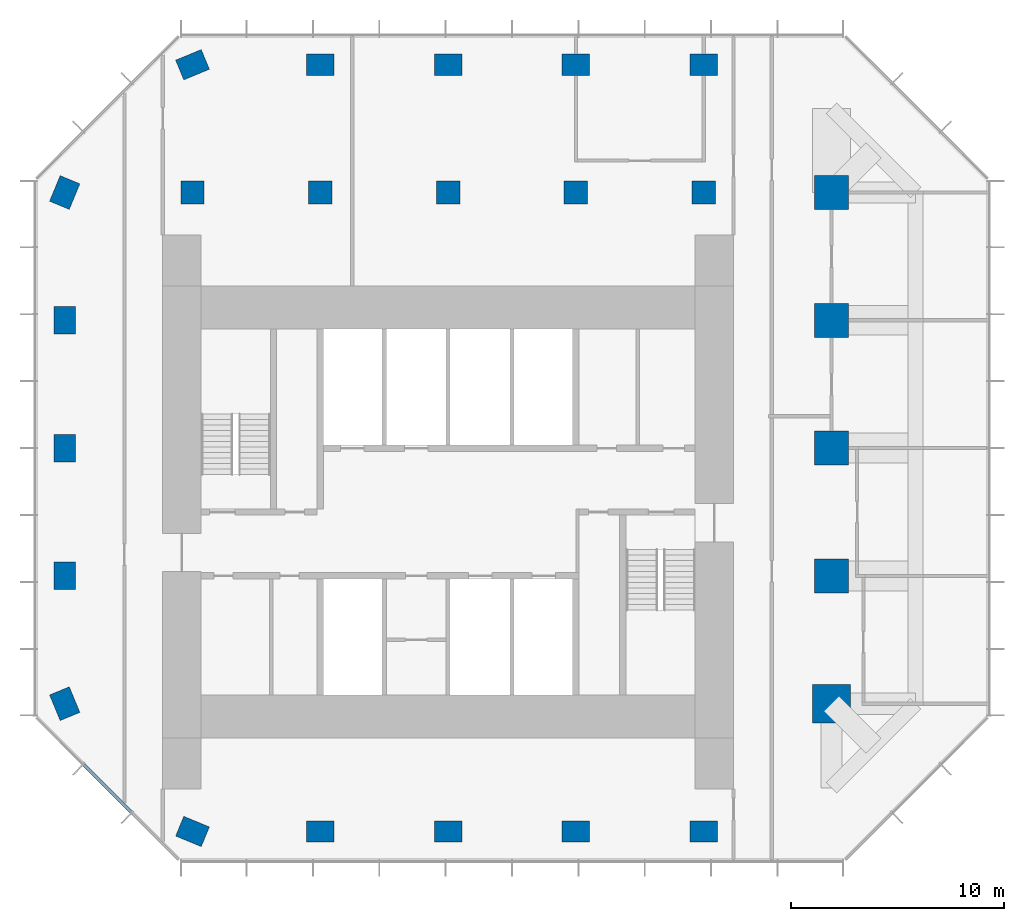
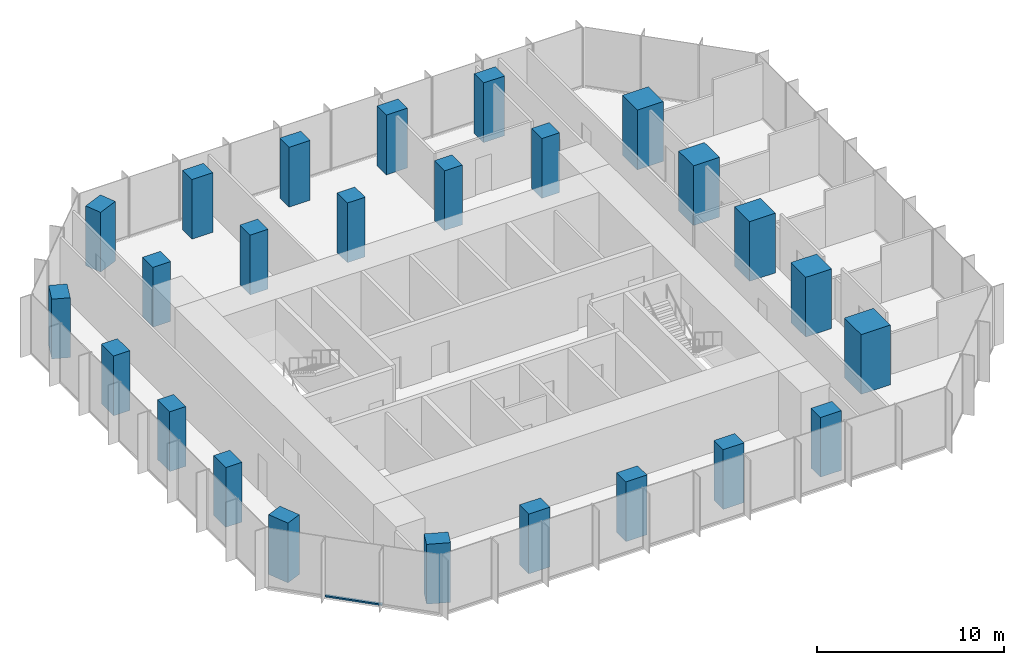
# One storey, part 1 of 10: 25 columns, 1 member, 1 element without a shape of its own.
"""IFC4 building model written with IfcOpenShell, lengths in metres."""

from ifc_helpers import new_model, si_unit, direction, frame, origin, origin_2d, place, context, subcontext, project, spatial, rectangle, extrude, material, layer, layer_set, material_profile, profile_set, type_object, element, aggregate, save


model = new_model("IFC4")

# Units and contexts
model_context = context("Model", 3, precision=1e-05, world=origin(), true_north=direction((0.0, 1.0)))
body_context = subcontext(model_context, "Body", "Model", "MODEL_VIEW")
ifc_project = project(units=[si_unit("LENGTHUNIT", "METRE"), si_unit("AREAUNIT", "SQUARE_METRE"), si_unit("VOLUMEUNIT", "CUBIC_METRE"), si_unit("PLANEANGLEUNIT", "RADIAN"), si_unit("MASSUNIT", "GRAM", prefix="KILO")], contexts=[model_context])

# Site, building, storey
site_placement = place(None, origin())
site = spatial("IfcSite", under=ifc_project, at=site_placement, CompositionType="ELEMENT")
building_placement = place(site_placement, origin())
building = spatial("IfcBuilding", under=site, at=building_placement, Name="Highveld Stack Headquarters", CompositionType="ELEMENT")
storey_placement = place(building_placement, frame((0.0, 0.0, 248.89990234375)))
storey = spatial("IfcBuildingStorey", under=building, at=storey_placement, Name="L61", CompositionType="ELEMENT", Elevation=248.89990234375)

# Columns
ifc_material_1 = material(Name="Concrete C60/75", Category="concrete")
ifc_material_profile_1 = material_profile(ifc_material_1, rectangle(XDim=1.10009765625, YDim=1.10009765625, at=origin_2d()), Name="RC 1100x1100")
ifc_profile_set_1 = profile_set([ifc_material_profile_1], Name="Concrete C60/75")
column_type_1 = type_object("IfcColumnType", Name="COLUMN RC 1100x1100 C60/75", PredefinedType="COLUMN", material=ifc_profile_set_1)
for number, where, z_axis, x_axis, name in (
    (1, (-6.0, 18.0, 0.0), (0.0, 0.0, 1.0), (1.0, 0.0, 0.0), "Column 5/H L61"),
    (2, (0.0, 18.0, 0.0), (0.0, 0.0, 1.0), (1.0, 0.0, 0.0), "Column 6/H L61"),
    (3, (6.0, 18.0, 0.0), (0.0, 0.0, 1.0), (1.0, 0.0, 0.0), "Column 7/H L61"),
    (4, (12.0, 18.0, 0.0), (0.0, 0.0, 1.0), (1.0, 0.0, 0.0), "Column 8/H L61"),
    (5, (18.0, 18.0, 0.0), (0.0, 0.0, 1.0), (1.0, 0.0, 0.0), "Column 9/H L61"),
):
    element("IfcColumn", number, at=place(storey_placement, frame(where, z_axis=z_axis, x_axis=x_axis)), inside=storey, type_object=column_type_1, Name=name, PredefinedType="COLUMN", context=body_context, shape_type="SweptSolid", body=[
        extrude(rectangle(XDim=1.10009765625, YDim=1.10009765625, at=origin_2d()), origin(), (0.0, 0.0, 1.0), 3.900146484375),
    ])
ifc_material_2 = material(Name="Concrete C60/75", Category="concrete")
ifc_material_profile_2 = material_profile(ifc_material_2, rectangle(XDim=1.300048828125, YDim=1.0, at=origin_2d()), Name="RC 1300x1000")
ifc_profile_set_2 = profile_set([ifc_material_profile_2], Name="Concrete C60/75")
column_type_2 = type_object("IfcColumnType", Name="COLUMN RC 1300x1000 C60/75", PredefinedType="COLUMN", material=ifc_profile_set_2)
for number, where, z_axis, x_axis, name in (
    (6, (-12.0, -6.0, 0.0), (0.0, 0.0, 1.0), (-0.382683432365, 0.923879532511, 0.0), "Column 4/D L61"),
    (7, (-12.0, 0.0, 0.0), (0.0, 0.0, 1.0), (0.0, 1.0, 0.0), "Column 4/E L61"),
    (8, (-12.0, 6.0, 0.0), (0.0, 0.0, 1.0), (0.0, 1.0, 0.0), "Column 4/F L61"),
    (9, (-12.0, 12.0, 0.0), (0.0, 0.0, 1.0), (0.0, 1.0, 0.0), "Column 4/G L61"),
    (10, (-12.0, 18.0, 0.0), (0.0, 0.0, 1.0), (0.382683432365, 0.923879532511, 0.0), "Column 4/H L61"),
    (11, (-6.0, -12.0, 0.0), (0.0, 0.0, 1.0), (-0.923879532511, 0.382683432365, 0.0), "Column 5/C L61"),
    (12, (-6.0, 24.0, 0.0), (0.0, 0.0, 1.0), (0.923879532511, 0.382683432365, 0.0), "Column 5/J L61"),
    (13, (0.0, -12.0, 0.0), (0.0, 0.0, 1.0), (1.0, 0.0, 0.0), "Column 6/C L61"),
    (14, (0.0, 24.0, 0.0), (0.0, 0.0, 1.0), (1.0, 0.0, 0.0), "Column 6/J L61"),
    (15, (6.0, -12.0, 0.0), (0.0, 0.0, 1.0), (1.0, 0.0, 0.0), "Column 7/C L61"),
    (16, (6.0, 24.0, 0.0), (0.0, 0.0, 1.0), (1.0, 0.0, 0.0), "Column 7/J L61"),
    (17, (12.0, -12.0, 0.0), (0.0, 0.0, 1.0), (1.0, 0.0, 0.0), "Column 8/C L61"),
    (18, (12.0, 24.0, 0.0), (0.0, 0.0, 1.0), (1.0, 0.0, 0.0), "Column 8/J L61"),
    (19, (18.0, -12.0, 0.0), (0.0, 0.0, 1.0), (1.0, 0.0, 0.0), "Column 9/C L61"),
    (20, (18.0, 24.0, 0.0), (0.0, 0.0, 1.0), (1.0, 0.0, 0.0), "Column 9/J L61"),
):
    element("IfcColumn", number, at=place(storey_placement, frame(where, z_axis=z_axis, x_axis=x_axis)), inside=storey, type_object=column_type_2, Name=name, PredefinedType="COLUMN", context=body_context, shape_type="SweptSolid", body=[
        extrude(rectangle(XDim=1.300048828125, YDim=1.0, at=origin_2d()), origin(), (0.0, 0.0, 1.0), 3.900146484375),
    ])
ifc_material_3 = material(Name="Concrete C60/75", Category="concrete")
ifc_material_profile_3 = material_profile(ifc_material_3, rectangle(XDim=1.60009765625, YDim=1.60009765625, at=origin_2d()), Name="RC 1600x1600")
ifc_profile_set_3 = profile_set([ifc_material_profile_3], Name="Concrete C60/75")
column_type_3 = type_object("IfcColumnType", Name="COLUMN RC 1600x1600 C60/75", PredefinedType="COLUMN", material=ifc_profile_set_3)
for number, where, z_axis, x_axis, name in (
    (21, (24.0, 0.0, 0.0), (0.0, 0.0, 1.0), (1.0, 0.0, 0.0), "Column 10/E L61"),
    (22, (24.0, 6.0, 0.0), (0.0, 0.0, 1.0), (1.0, 0.0, 0.0), "Column 10/F L61"),
    (23, (24.0, 12.0, 0.0), (0.0, 0.0, 1.0), (1.0, 0.0, 0.0), "Column 10/G L61"),
    (24, (24.0, 18.0, 0.0), (0.0, 0.0, 1.0), (1.0, 0.0, 0.0), "Column 10/H L61"),
):
    element("IfcColumn", number, at=place(storey_placement, frame(where, z_axis=z_axis, x_axis=x_axis)), inside=storey, type_object=column_type_3, Name=name, PredefinedType="COLUMN", context=body_context, shape_type="SweptSolid", body=[
        extrude(rectangle(XDim=1.60009765625, YDim=1.60009765625, at=origin_2d()), origin(), (0.0, 0.0, 1.0), 3.900146484375),
    ])
ifc_material_4 = material(Name="Concrete C60/75", Category="concrete")
ifc_material_profile_4 = material_profile(ifc_material_4, rectangle(XDim=1.800048828125, YDim=1.800048828125, at=origin_2d()), Name="RC 1800x1800")
ifc_profile_set_4 = profile_set([ifc_material_profile_4], Name="Concrete C60/75")
column_type_4 = type_object("IfcColumnType", Name="COLUMN RC 1800x1800 C60/75", PredefinedType="COLUMN", material=ifc_profile_set_4)
column_placement = place(storey_placement, frame((24.0, -6.0, 0.0), z_axis=(0.0, 0.0, 1.0), x_axis=(1.0, 0.0, 0.0)))
element("IfcColumn", 25, at=column_placement, inside=storey, type_object=column_type_4, Name="Column 10/D L61", PredefinedType="COLUMN", context=body_context, shape_type="SweptSolid", body=[
    extrude(rectangle(XDim=1.800048828125, YDim=1.800048828125, at=origin_2d()), origin(), (0.0, 0.0, 1.0), 3.900146484375),
])

# Curtain wall, member
ifc_material_5 = material(Name="Aluminium bronze anodised", Category="aluminium")
ifc_layer = layer(ifc_material_5, 0.199951171875)
ifc_layer_set = layer_set([ifc_layer], Name="Aluminium bronze anodised")
curtain_wall_type = type_object("IfcCurtainWallType", Name="CW5 EXECUTIVE UNITISED CURTAIN WALL", PredefinedType="NOTDEFINED", material=ifc_layer_set)
curtain_wall_placement = place(storey_placement, origin())
curtain_wall = element("IfcCurtainWall", 26, at=curtain_wall_placement, inside=storey, type_object=curtain_wall_type, Name="Curtain wall CW5 L61 SW", PredefinedType="NOTDEFINED")
ifc_material_6 = material(Name="Aluminium bronze anodised", Category="aluminium")
ifc_material_profile_5 = material_profile(ifc_material_6, rectangle(XDim=0.14990234375, YDim=0.10009765625, at=origin_2d()), Name="CW5 TRANSOM 150x100")
ifc_profile_set_5 = profile_set([ifc_material_profile_5], Name="Aluminium bronze anodised")
member_type = type_object("IfcMemberType", Name="CW5 STACK TRANSOM 150x100", PredefinedType="USERDEFINED", material=ifc_profile_set_5)
member_placement = place(storey_placement, frame((-11.103759765625, -8.876220703125, 0.050048828125), z_axis=(0.707106781187, -0.707106781187, 0.0), x_axis=(0.707106781187, 0.707106781187, 0.0)))
member = element("IfcMember", 27, at=member_placement, type_object=member_type, Name="CW5 transom L61 2.1", ObjectType="TRANSOM", PredefinedType="USERDEFINED", context=body_context, shape_type="SweptSolid", body=[
    extrude(rectangle(XDim=0.14990234375, YDim=0.10009765625, at=origin_2d()), origin(), (0.0, 0.0, 1.0), 3.150146484375),
])
aggregate(curtain_wall, [member])

save(model, "model.ifc")
